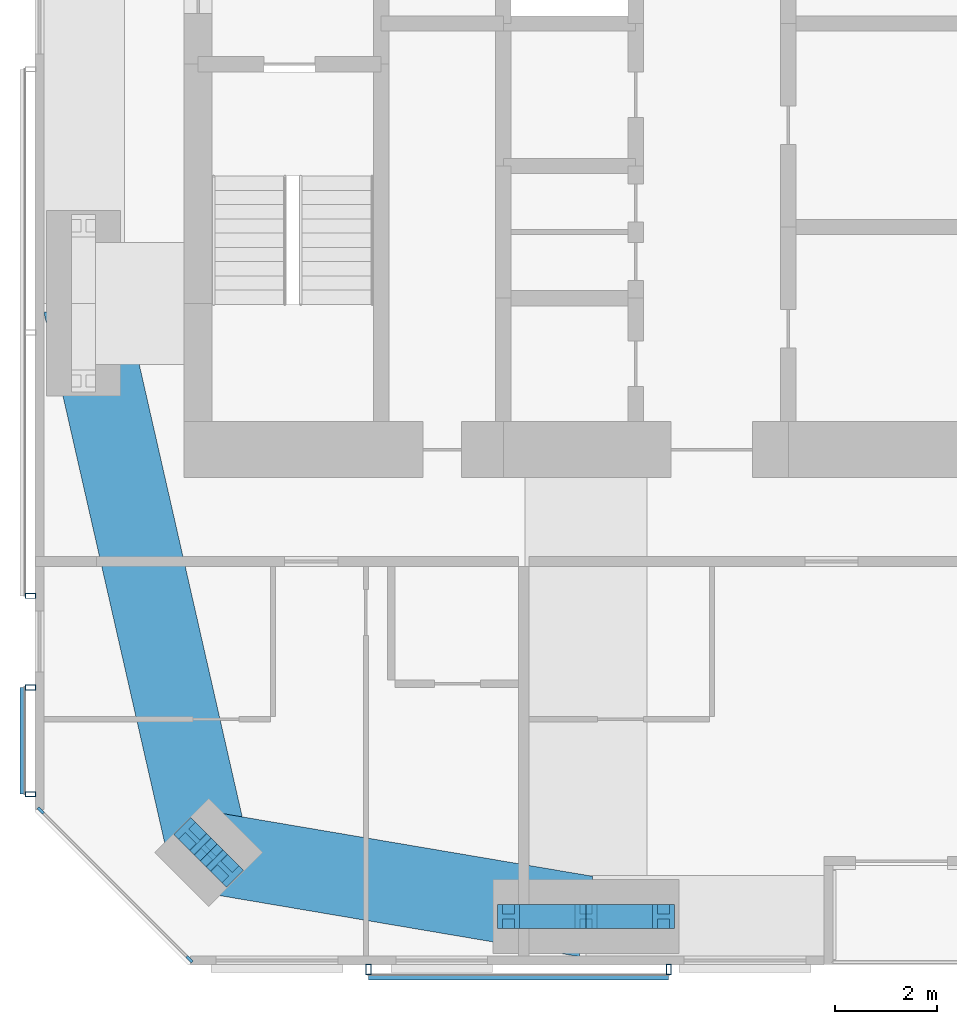
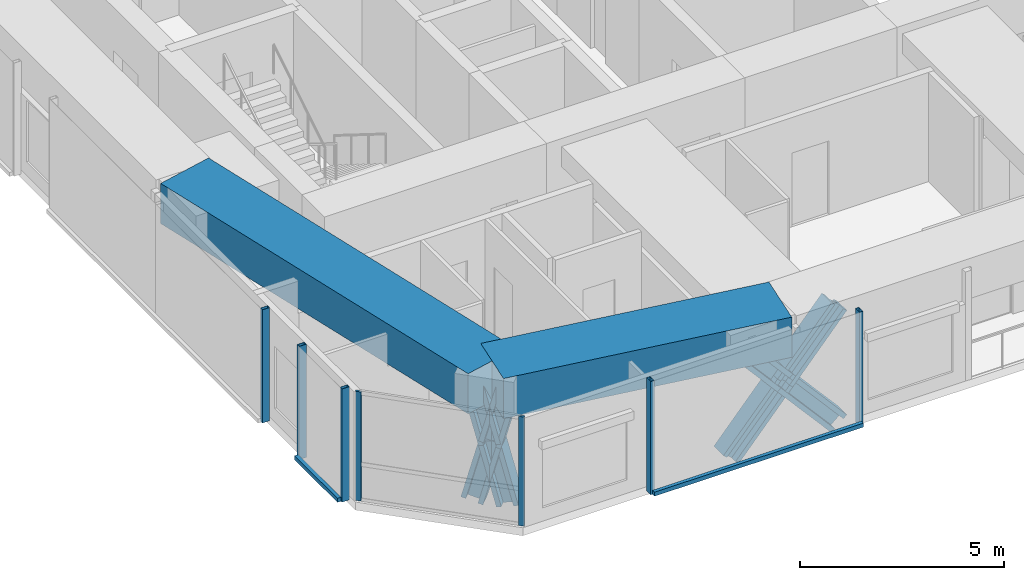
# One storey, part 2 of 19: 17 members, 2 beams, 4 elements without a shape of their own.
"""IFC4 building model written with IfcOpenShell, lengths in metres."""

from ifc_helpers import new_model, si_unit, direction, frame, origin, origin_2d, place, context, subcontext, project, spatial, rectangle, hollow_rectangle, i_section, extrude, material, material_profile, profile_set, type_object, element, aggregate, save


model = new_model("IFC4")

# Units and contexts
model_context = context("Model", 3, precision=1e-05, world=origin(), true_north=direction((0.0, 1.0)))
body_context = subcontext(model_context, "Body", "Model", "MODEL_VIEW")
ifc_project = project(units=[si_unit("LENGTHUNIT", "METRE"), si_unit("AREAUNIT", "SQUARE_METRE"), si_unit("VOLUMEUNIT", "CUBIC_METRE"), si_unit("PLANEANGLEUNIT", "RADIAN"), si_unit("MASSUNIT", "GRAM", prefix="KILO")], contexts=[model_context])

# Site, building, storey
site_placement = place(None, origin())
site = spatial("IfcSite", under=ifc_project, at=site_placement, CompositionType="ELEMENT")
building_placement = place(site_placement, origin())
building = spatial("IfcBuilding", under=site, at=building_placement, Name="Jalousie Tower", CompositionType="ELEMENT")
storey_placement = place(building_placement, frame((0.0, 0.0, 224.949951171875)))
storey = spatial("IfcBuildingStorey", under=building, at=storey_placement, Name="L61", CompositionType="ELEMENT", Elevation=224.949951171875)

# Curtain wall, members
ifc_material_1 = material(Name="Aluminium curtain wall", Category="aluminium")
curtain_wall_type_1 = type_object("IfcCurtainWallType", Name="CORNER WINDOW WALL", PredefinedType="USERDEFINED", material=ifc_material_1)
curtain_wall_1_placement = place(storey_placement, origin())
curtain_wall_1 = element("IfcCurtainWall", 1, at=curtain_wall_1_placement, inside=storey, type_object=curtain_wall_type_1, Name="Corner Window Wall L61 8", ObjectType="CORNER WINDOW WALL", PredefinedType="USERDEFINED")
ifc_material_2 = material(Name="Aluminium mullion", Category="aluminium")
ifc_material_profile_1 = material_profile(ifc_material_2, rectangle(XDim=0.06005859375, YDim=0.14990234375, at=origin_2d()), Name="MULLION 60x150")
ifc_profile_set_1 = profile_set([ifc_material_profile_1], Name="Aluminium mullion")
member_type_1 = type_object("IfcMemberType", Name="CORNER WINDOW WALL MULLION", PredefinedType="MULLION", material=ifc_profile_set_1)
member_1_placement = place(storey_placement, frame((16.90869140625, 3.030029296875, 0.0), z_axis=(0.0, 0.0, 1.0), x_axis=(0.707106781187, 0.707106781187, 0.0)))
member_1 = element("IfcMember", 2, at=member_1_placement, type_object=member_type_1, Name="CW-C mullion 1", PredefinedType="MULLION", context=body_context, shape_type="SweptSolid", body=[
    extrude(rectangle(XDim=0.06005859375, YDim=0.14990234375, at=origin_2d()), origin(), (0.0, 0.0, 1.0), 3.260009765625),
])
member_2_placement = place(storey_placement, frame((19.830078125, 0.108642578125, 0.0), z_axis=(0.0, 0.0, 1.0), x_axis=(0.707106781187, 0.707106781187, 0.0)))
member_2 = element("IfcMember", 3, at=member_2_placement, type_object=member_type_1, Name="CW-C mullion 2", PredefinedType="MULLION", context=body_context, shape_type="SweptSolid", body=[
    extrude(rectangle(XDim=0.06005859375, YDim=0.14990234375, at=origin_2d()), origin(), (0.0, 0.0, 1.0), 3.260009765625),
])
aggregate(curtain_wall_1, [member_1, member_2])

# Members
ifc_material_3 = material(Name="Steel ASTM A992 Grade 50", Category="steel")
ifc_material_profile_2 = material_profile(ifc_material_3, i_section(OverallWidth=0.472412109375, OverallDepth=0.5791015625, WebThickness=0.094970703125, FlangeThickness=0.1298828125, at=origin_2d()), Name="W14X808")
ifc_profile_set_2 = profile_set([ifc_material_profile_2], Name="Steel ASTM A992 Grade 50")
member_type_2 = type_object("IfcMemberType", Name="PERIMETER BRACE W14X808", PredefinedType="BRACE", material=ifc_profile_set_2)
for number, where, z_axis, x_axis, name in (
    (4, (19.888916015625, 2.525390625, -0.599853515625), (0.176051427143, -0.17618653952, 0.968485517854), (0.707377963048, 0.706835495285, 0.0), "Perimeter brace 01 L61 part 1"),
    (5, (20.20703125, 2.20703125, 1.150146484375), (0.17618653952, -0.176051427143, 0.968485517854), (0.706835495285, 0.707377963048, 0.0), "Perimeter brace 01 L61 part 2"),
    (6, (20.525390625, 1.888916015625, -0.599853515625), (-0.17618653952, 0.176051427143, 0.968485517854), (-0.706835495285, -0.707377963048, 0.0), "Perimeter brace 01 L61 part 3"),
    (7, (20.20703125, 2.20703125, 1.150146484375), (-0.176051427143, 0.17618653952, 0.968485517854), (-0.707377963048, -0.706835495285, 0.0), "Perimeter brace 01 L61 part 4"),
):
    element("IfcMember", number, at=place(storey_placement, frame(where, z_axis=z_axis, x_axis=x_axis)), inside=storey, type_object=member_type_2, Name=name, PredefinedType="BRACE", context=body_context, shape_type="SweptSolid", body=[
        extrude(i_section(OverallWidth=0.472412109375, OverallDepth=0.5791015625, WebThickness=0.094970703125, FlangeThickness=0.1298828125, at=origin_2d()), origin(), (0.0, 0.0, 1.0), 1.806884765625),
    ])
for number, where, z_axis, x_axis, name in (
    (8, (26.10009765625, 0.949951171875, -0.599853515625), (0.65695436777, 0.0, 0.753930340726), (0.0, 1.0, 0.0), "Perimeter brace 02 L61 part 1"),
    (9, (27.625, 0.949951171875, 1.150146484375), (0.65695436777, 0.0, 0.753930340726), (0.0, 1.0, 0.0), "Perimeter brace 02 L61 part 2"),
    (10, (29.14990234375, 0.949951171875, -0.599853515625), (-0.65695436777, 0.0, 0.753930340726), (0.0, -1.0, 0.0), "Perimeter brace 02 L61 part 3"),
    (11, (27.625, 0.949951171875, 1.150146484375), (-0.65695436777, 0.0, 0.753930340726), (0.0, -1.0, 0.0), "Perimeter brace 02 L61 part 4"),
):
    element("IfcMember", number, at=place(storey_placement, frame(where, z_axis=z_axis, x_axis=x_axis)), inside=storey, type_object=member_type_2, Name=name, PredefinedType="BRACE", context=body_context, shape_type="SweptSolid", body=[
        extrude(i_section(OverallWidth=0.472412109375, OverallDepth=0.5791015625, WebThickness=0.094970703125, FlangeThickness=0.1298828125, at=origin_2d()), origin(), (0.0, 0.0, 1.0), 2.3212890625),
    ])

# Beams
ifc_material_4 = material(Name="Concrete f'c 40 MPa", Category="concrete")
ifc_material_profile_3 = material_profile(ifc_material_4, rectangle(XDim=1.60009765625, YDim=1.199951171875, at=origin_2d()), Name="RC 1600x1200")
ifc_profile_set_3 = profile_set([ifc_material_profile_3], Name="Concrete f'c 40 MPa")
beam_type = type_object("IfcBeamType", Name="RC BEAM 1600x1200", PredefinedType="BEAM", material=ifc_profile_set_3)
beam_1_placement = place(storey_placement, frame((20.20703125, 2.20703125, 2.900146484375), z_axis=(0.985942997446, -0.167082033105, 0.0), x_axis=(0.167082033105, 0.985942997446, 0.0)))
element("IfcBeam", 12, at=beam_1_placement, inside=storey, type_object=beam_type, Name="Edge band beam 01-02 under L62", PredefinedType="BEAM", context=body_context, shape_type="SweptSolid", body=[
    extrude(rectangle(XDim=1.60009765625, YDim=1.199951171875, at=origin_2d()), origin(), (0.0, 0.0, 1.0), 7.523681640625),
])
beam_2_placement = place(storey_placement, frame((17.75, 13.0, 2.900146484375), z_axis=(0.221971905818, -0.975053061647, 0.0), x_axis=(0.975053061647, 0.221971905818, 0.0)))
element("IfcBeam", 13, at=beam_2_placement, inside=storey, type_object=beam_type, Name="Edge band beam 14-01 under L62", PredefinedType="BEAM", context=body_context, shape_type="SweptSolid", body=[
    extrude(rectangle(XDim=1.60009765625, YDim=1.199951171875, at=origin_2d()), origin(), (0.0, 0.0, 1.0), 11.069091796875),
])

# Curtain wall, members
ifc_material_5 = material(Name="Perforated aluminium sheet", Category="aluminium")
curtain_wall_type_2 = type_object("IfcCurtainWallType", Name="SOLAR SCREEN SS-2", PredefinedType="USERDEFINED", material=ifc_material_5)
curtain_wall_2_placement = place(storey_placement, origin())
curtain_wall_2 = element("IfcCurtainWall", 14, at=curtain_wall_2_placement, inside=storey, type_object=curtain_wall_type_2, Name="Solar screen L61", ObjectType="SOLAR SCREEN SS-2", PredefinedType="USERDEFINED")
ifc_material_6 = material(Name="Steel ASTM A500 Grade C", Category="steel")
ifc_material_profile_4 = material_profile(ifc_material_6, hollow_rectangle(XDim=0.1015625, YDim=0.203125, WallThickness=0.0078125, at=origin_2d()), Name="HSS8X4X5/16")
ifc_profile_set_4 = profile_set([ifc_material_profile_4], Name="Steel ASTM A500 Grade C")
member_type_3 = type_object("IfcMemberType", Name="SOLAR SCREEN SS-2 MULLION", PredefinedType="MULLION", material=ifc_profile_set_4)
member_3_placement = place(storey_placement, frame((23.35009765625, -0.0966796875, -0.119873046875), z_axis=(0.0, 0.0, 1.0), x_axis=(1.0, 0.0, 0.0)))
member_3 = element("IfcMember", 15, at=member_3_placement, type_object=member_type_3, Name="SS2 post 1", PredefinedType="MULLION", context=body_context, shape_type="SweptSolid", body=[
    extrude(hollow_rectangle(XDim=0.1015625, YDim=0.203125, WallThickness=0.0078125, at=origin_2d()), origin(), (0.0, 0.0, 1.0), 3.3798828125),
])
member_4_placement = place(storey_placement, frame((29.25, -0.0966796875, -0.119873046875), z_axis=(0.0, 0.0, 1.0), x_axis=(1.0, 0.0, 0.0)))
member_4 = element("IfcMember", 16, at=member_4_placement, type_object=member_type_3, Name="SS2 post 2", PredefinedType="MULLION", context=body_context, shape_type="SweptSolid", body=[
    extrude(hollow_rectangle(XDim=0.1015625, YDim=0.203125, WallThickness=0.0078125, at=origin_2d()), origin(), (0.0, 0.0, 1.0), 3.3798828125),
])

# Curtain wall, member
curtain_wall_3_placement = place(storey_placement, origin())
curtain_wall_3 = element("IfcCurtainWall", 17, at=curtain_wall_3_placement, inside=storey, type_object=curtain_wall_type_2, Name="Solar screen L61", ObjectType="SOLAR SCREEN SS-2", PredefinedType="USERDEFINED")
member_5_placement = place(storey_placement, frame((16.703369140625, 7.25, -0.119873046875), z_axis=(0.0, 0.0, 1.0), x_axis=(0.0, -1.0, 0.0)))
member_5 = element("IfcMember", 18, at=member_5_placement, type_object=member_type_3, Name="SS2 post 3", PredefinedType="MULLION", context=body_context, shape_type="SweptSolid", body=[
    extrude(hollow_rectangle(XDim=0.1015625, YDim=0.203125, WallThickness=0.0078125, at=origin_2d()), origin(), (0.0, 0.0, 1.0), 3.3798828125),
])
aggregate(curtain_wall_3, [member_5])

# Curtain wall, members
curtain_wall_4_placement = place(storey_placement, origin())
curtain_wall_4 = element("IfcCurtainWall", 19, at=curtain_wall_4_placement, inside=storey, type_object=curtain_wall_type_2, Name="Solar screen L61", ObjectType="SOLAR SCREEN SS-2", PredefinedType="USERDEFINED")
member_6_placement = place(storey_placement, frame((16.703369140625, 5.449951171875, -0.119873046875), z_axis=(0.0, 0.0, 1.0), x_axis=(0.0, -1.0, 0.0)))
member_6 = element("IfcMember", 20, at=member_6_placement, type_object=member_type_3, Name="SS2 post 1", PredefinedType="MULLION", context=body_context, shape_type="SweptSolid", body=[
    extrude(hollow_rectangle(XDim=0.1015625, YDim=0.203125, WallThickness=0.0078125, at=origin_2d()), origin(), (0.0, 0.0, 1.0), 3.3798828125),
])
member_7_placement = place(storey_placement, frame((16.703369140625, 3.351318359375, -0.119873046875), z_axis=(0.0, 0.0, 1.0), x_axis=(0.0, -1.0, 0.0)))
member_7 = element("IfcMember", 21, at=member_7_placement, type_object=member_type_3, Name="SS2 post 2", PredefinedType="MULLION", context=body_context, shape_type="SweptSolid", body=[
    extrude(hollow_rectangle(XDim=0.1015625, YDim=0.203125, WallThickness=0.0078125, at=origin_2d()), origin(), (0.0, 0.0, 1.0), 3.3798828125),
])

# Member
ifc_material_7 = material(Name="Extruded aluminium screen rail", Category="aluminium")
ifc_material_profile_5 = material_profile(ifc_material_7, rectangle(XDim=0.1015625, YDim=0.1201171875, at=origin_2d()), Name="RAIL 102x120")
ifc_profile_set_5 = profile_set([ifc_material_profile_5], Name="Extruded aluminium screen rail")
member_type_4 = type_object("IfcMemberType", Name="SOLAR SCREEN SS-2 TRANSOM", PredefinedType="USERDEFINED", material=ifc_profile_set_5)
member_8_placement = place(storey_placement, frame((23.35009765625, -0.2490234375, -0.06005859375), z_axis=(1.0, 0.0, 0.0), x_axis=(0.0, 1.0, 0.0)))
member_8 = element("IfcMember", 22, at=member_8_placement, type_object=member_type_4, Name="SS2 rail", ObjectType="TRANSOM", PredefinedType="USERDEFINED", context=body_context, shape_type="SweptSolid", body=[
    extrude(rectangle(XDim=0.1015625, YDim=0.1201171875, at=origin_2d()), origin(), (0.0, 0.0, 1.0), 5.89990234375),
])

aggregate(curtain_wall_2, [member_3, member_4, member_8])

member_9_placement = place(storey_placement, frame((16.551025390625, 5.449951171875, -0.06005859375), z_axis=(0.0, -1.0, 0.0), x_axis=(1.0, 0.0, 0.0)))
member_9 = element("IfcMember", 23, at=member_9_placement, type_object=member_type_4, Name="SS2 rail", ObjectType="TRANSOM", PredefinedType="USERDEFINED", context=body_context, shape_type="SweptSolid", body=[
    extrude(rectangle(XDim=0.1015625, YDim=0.1201171875, at=origin_2d()), origin(), (0.0, 0.0, 1.0), 2.0986328125),
])

aggregate(curtain_wall_4, [member_6, member_7, member_9])

save(model, "model.ifc")
